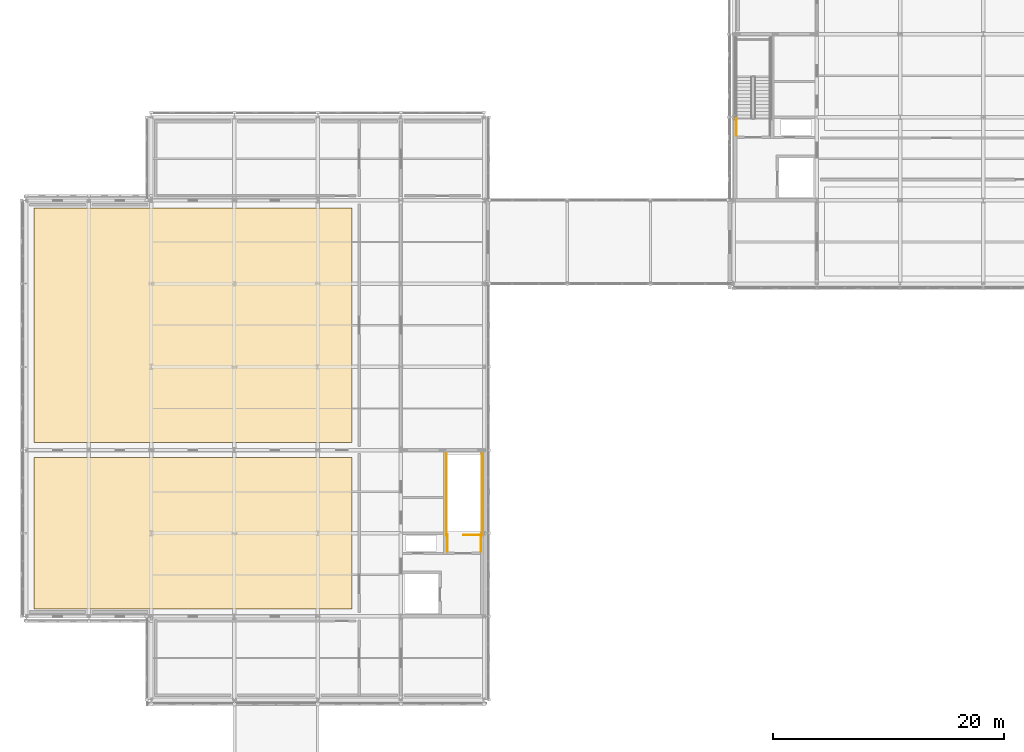
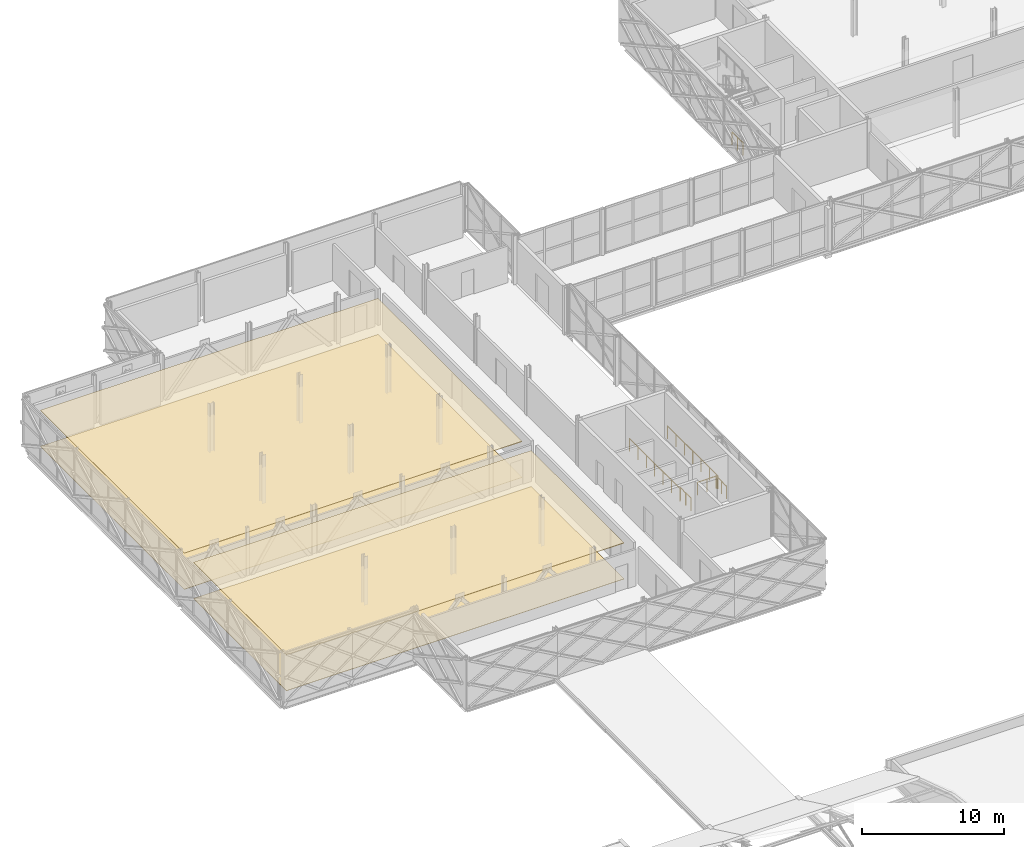
# One storey, part 99 of 103: 6 railings, 4 coverings.
"""IFC4 building model written with IfcOpenShell, lengths in metres."""

from ifc_helpers import new_model, si_unit, direction, frame, origin, origin_2d, place, context, subcontext, project, spatial, polyline, circle, outline, extrude, material, layer, layer_set, type_object, element, save


model = new_model("IFC4")

# Units and contexts
model_context = context("Model", 3, precision=1e-05, world=origin(), true_north=direction((0.0, 1.0)))
body_context = subcontext(model_context, "Body", "Model", "MODEL_VIEW")
ifc_project = project(units=[si_unit("LENGTHUNIT", "METRE"), si_unit("AREAUNIT", "SQUARE_METRE"), si_unit("VOLUMEUNIT", "CUBIC_METRE"), si_unit("PLANEANGLEUNIT", "RADIAN"), si_unit("MASSUNIT", "GRAM", prefix="KILO")], contexts=[model_context])

# Site, building, storey
site_placement = place(None, origin())
site = spatial("IfcSite", under=ifc_project, at=site_placement, CompositionType="ELEMENT")
building_placement = place(site_placement, origin())
building = spatial("IfcBuilding", under=site, at=building_placement, Name="Zlatovets Crest Museum", CompositionType="ELEMENT")
storey_placement = place(building_placement, frame((0.0, 0.0, 12.89990234375)))
storey = spatial("IfcBuildingStorey", under=building, at=storey_placement, Name="L03", CompositionType="ELEMENT", Elevation=12.89990234375)

# Coverings
ifc_material_1 = material(Name="Micro-perforated gypsum acoustic gallery ceiling")
ifc_layer_1 = layer(ifc_material_1, 0.050048828125)
ifc_layer_set_1 = layer_set([ifc_layer_1], Name="Micro-perforated gypsum acoustic gallery ceiling")
covering_type_1 = type_object("IfcCoveringType", Name="GalleryCeiling_CLG1", PredefinedType="CEILING", material=ifc_layer_set_1)
covering_1_placement = place(storey_placement, frame((0.0, 0.0, 3.090087890625)))
element("IfcCovering", 1, at=covering_1_placement, inside=storey, type_object=covering_type_1, Name="Cantilevered Panoramic Gallery Acoustic Ceiling", PredefinedType="CEILING", context=body_context, shape_type="SweptSolid", body=[
    extrude(outline(polyline([(-2.949951171875, 58.25), (24.550048828125, 58.25), (24.550048828125, 71.35009765625), (-2.949951171875, 71.35009765625), (-2.949951171875, 58.25)])), origin(), (0.0, 0.0, 1.0), 0.050048828125),
])
covering_2_placement = place(storey_placement, frame((0.0, 0.0, 3.090087890625)))
element("IfcCovering", 2, at=covering_2_placement, inside=storey, type_object=covering_type_1, Name="North Cantilevered Belvedere Gallery Acoustic Ceiling", PredefinedType="CEILING", context=body_context, shape_type="SweptSolid", body=[
    extrude(outline(polyline([(-2.949951171875, 72.64990234375), (24.550048828125, 72.64990234375), (24.550048828125, 92.949951171875), (-2.949951171875, 92.949951171875), (-2.949951171875, 72.64990234375)])), origin(), (0.0, 0.0, 1.0), 0.050048828125),
])
ifc_material_2 = material(Name="Quarter-sawn European oak herringbone gallery parquet")
ifc_layer_2 = layer(ifc_material_2, 0.030029296875)
ifc_layer_set_2 = layer_set([ifc_layer_2], Name="Quarter-sawn European oak herringbone gallery parquet")
covering_type_2 = type_object("IfcCoveringType", Name="GalleryFloor_FLR1", PredefinedType="FLOORING", material=ifc_layer_set_2)
covering_3_placement = place(storey_placement, origin())
element("IfcCovering", 3, at=covering_3_placement, inside=storey, type_object=covering_type_2, Name="Cantilevered Panoramic Gallery Floor Finish", PredefinedType="FLOORING", context=body_context, shape_type="SweptSolid", body=[
    extrude(outline(polyline([(-2.949951171875, 58.25), (24.550048828125, 58.25), (24.550048828125, 71.35009765625), (-2.949951171875, 71.35009765625), (-2.949951171875, 58.25)])), origin(), (0.0, 0.0, 1.0), 0.030029296875),
])
covering_4_placement = place(storey_placement, origin())
element("IfcCovering", 4, at=covering_4_placement, inside=storey, type_object=covering_type_2, Name="North Cantilevered Belvedere Gallery Floor Finish", PredefinedType="FLOORING", context=body_context, shape_type="SweptSolid", body=[
    extrude(outline(polyline([(-2.949951171875, 72.64990234375), (24.550048828125, 72.64990234375), (24.550048828125, 92.949951171875), (-2.949951171875, 92.949951171875), (-2.949951171875, 72.64990234375)])), origin(), (0.0, 0.0, 1.0), 0.030029296875),
])

# Railings
ifc_material_3 = material(Name="Painted steel safety guardrail", Category="steel")
railing_type = type_object("IfcRailingType", Name="StairGuard_SG01", PredefinedType="GUARDRAIL", material=ifc_material_3)
railing_1_placement = place(storey_placement, frame((57.85009765625, 99.199951171875, 0.0)))
element("IfcRailing", 5, at=railing_1_placement, inside=storey, type_object=railing_type, Name="L03 ST1 stair guard 8", PredefinedType="GUARDRAIL", context=body_context, shape_type="SweptSolid", body=[
    extrude(circle(Radius=0.02392578125, at=origin_2d()), frame((0.0, 0.0, 1.076171875), z_axis=(0.0, 1.0, 0.0), x_axis=(-1.0, 0.0, 0.0)), (0.0, 0.0, 1.0), 1.5),
    extrude(circle(Radius=0.02099609375, at=origin_2d()), origin(), (0.0, 0.0, 1.0), 1.052001953125),
    extrude(circle(Radius=0.02099609375, at=origin_2d()), frame((0.0, 0.75, 0.0)), (0.0, 0.0, 1.0), 1.052001953125),
    extrude(circle(Radius=0.02099609375, at=origin_2d()), frame((0.0, 1.5, 0.0)), (0.0, 0.0, 1.0), 1.052001953125),
])
railing_2_placement = place(storey_placement, frame((35.800048828125, 64.64990234375, 0.0)))
element("IfcRailing", 6, at=railing_2_placement, inside=storey, type_object=railing_type, Name="L03 ST4 top well guard 1", PredefinedType="GUARDRAIL", context=body_context, shape_type="SweptSolid", body=[
    extrude(circle(Radius=0.02392578125, at=origin_2d()), frame((0.0, 0.0, 1.076171875), z_axis=(-1.0, 0.0, 0.0), x_axis=(0.0, -1.0, 0.0)), (0.0, 0.0, 1.0), 1.60009765625),
    extrude(circle(Radius=0.02099609375, at=origin_2d()), origin(), (0.0, 0.0, 1.0), 1.052001953125),
    extrude(circle(Radius=0.02099609375, at=origin_2d()), frame((-0.800048828125, 0.0, 0.0)), (0.0, 0.0, 1.0), 1.052001953125),
    extrude(circle(Radius=0.02099609375, at=origin_2d()), frame((-1.60009765625, 0.0, 0.0)), (0.0, 0.0, 1.0), 1.052001953125),
])
for number, where, name in (
    (7, (35.85009765625, 64.60009765625, 0.0), "L03 ST4 top well guard 2"),
    (8, (32.75, 64.60009765625, 0.0), "L03 ST4 top well guard 3"),
):
    element("IfcRailing", number, at=place(storey_placement, frame(where)), inside=storey, type_object=railing_type, Name=name, PredefinedType="GUARDRAIL", context=body_context, shape_type="SweptSolid", body=[
        extrude(circle(Radius=0.02392578125, at=origin_2d()), frame((0.0, 0.0, 1.076171875), z_axis=(0.0, 1.0, 0.0), x_axis=(-1.0, 0.0, 0.0)), (0.0, 0.0, 1.0), 7.099853515625),
        extrude(circle(Radius=0.02099609375, at=origin_2d()), origin(), (0.0, 0.0, 1.0), 1.052001953125),
        extrude(circle(Radius=0.02099609375, at=origin_2d()), frame((0.0, 1.183349609375, 0.0)), (0.0, 0.0, 1.0), 1.052001953125),
        extrude(circle(Radius=0.02099609375, at=origin_2d()), frame((0.0, 2.36669921875, 0.0)), (0.0, 0.0, 1.0), 1.052001953125),
        extrude(circle(Radius=0.02099609375, at=origin_2d()), frame((0.0, 3.5498046875, 0.0)), (0.0, 0.0, 1.0), 1.052001953125),
        extrude(circle(Radius=0.02099609375, at=origin_2d()), frame((0.0, 4.733154296875, 0.0)), (0.0, 0.0, 1.0), 1.052001953125),
        extrude(circle(Radius=0.02099609375, at=origin_2d()), frame((0.0, 5.91650390625, 0.0)), (0.0, 0.0, 1.0), 1.052001953125),
        extrude(circle(Radius=0.02099609375, at=origin_2d()), frame((0.0, 7.099853515625, 0.0)), (0.0, 0.0, 1.0), 1.052001953125),
    ])
for number, where, name in (
    (9, (35.75, 63.199951171875, 0.0), "L03 ST4 top well guard 4"),
    (10, (32.85009765625, 63.199951171875, 0.0), "L03 ST4 top well guard 5"),
):
    element("IfcRailing", number, at=place(storey_placement, frame(where)), inside=storey, type_object=railing_type, Name=name, PredefinedType="GUARDRAIL", context=body_context, shape_type="SweptSolid", body=[
        extrude(circle(Radius=0.02392578125, at=origin_2d()), frame((0.0, 0.0, 1.076171875), z_axis=(0.0, 1.0, 0.0), x_axis=(-1.0, 0.0, 0.0)), (0.0, 0.0, 1.0), 1.5),
        extrude(circle(Radius=0.02099609375, at=origin_2d()), origin(), (0.0, 0.0, 1.0), 1.052001953125),
        extrude(circle(Radius=0.02099609375, at=origin_2d()), frame((0.0, 0.75, 0.0)), (0.0, 0.0, 1.0), 1.052001953125),
        extrude(circle(Radius=0.02099609375, at=origin_2d()), frame((0.0, 1.5, 0.0)), (0.0, 0.0, 1.0), 1.052001953125),
    ])

save(model, "model.ifc")
